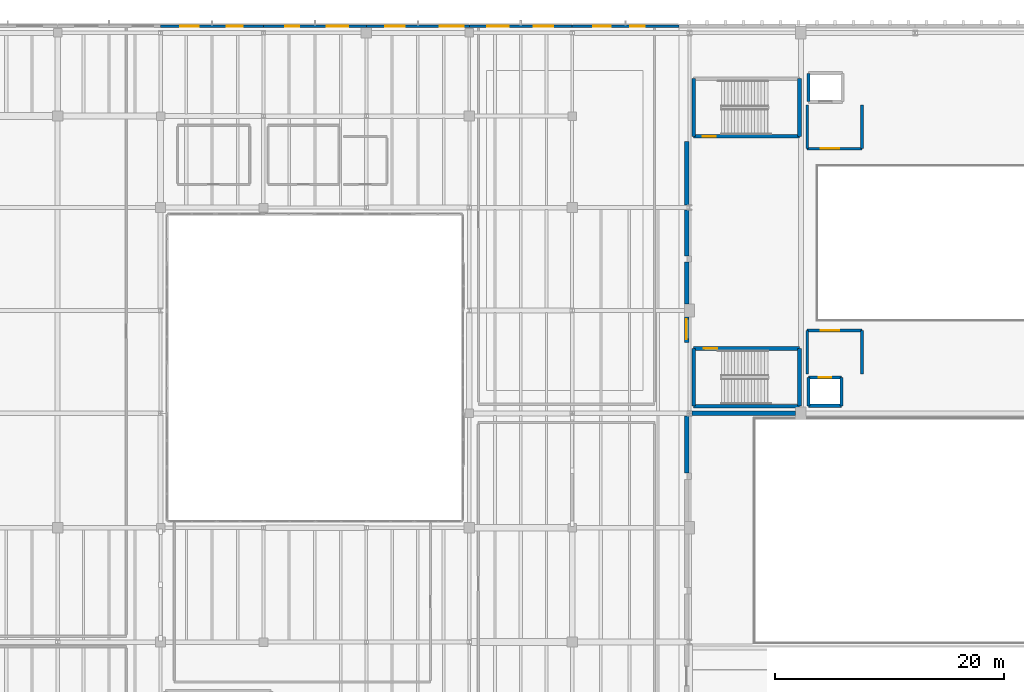
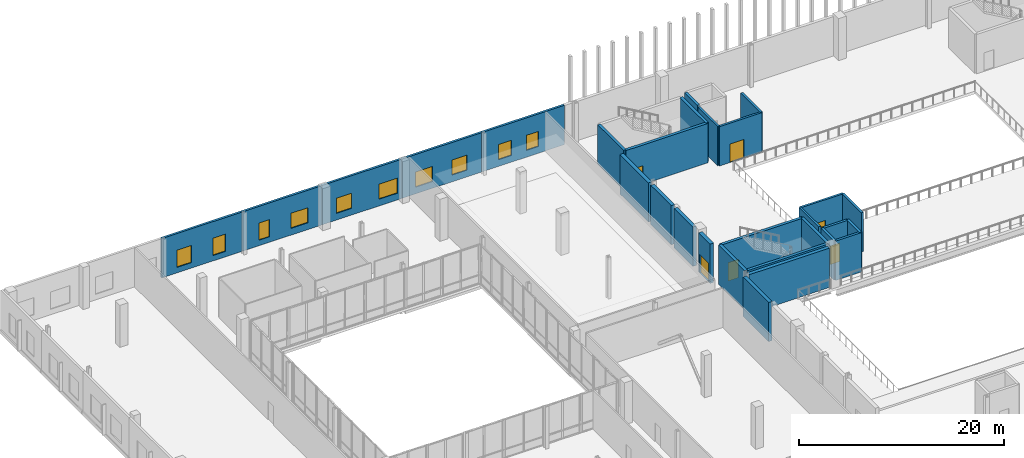
# One storey, part 62 of 81: 29 walls, 10 windows, 6 doors, 16 openings.
"""IFC4 building model written with IfcOpenShell, lengths in metres."""

from ifc_helpers import new_model, si_unit, direction, frame, frame_2d, origin, place, context, subcontext, project, spatial, rectangle, extrude, material, layer, layer_set, type_object, element, fill, save


model = new_model("IFC4")

# Units and contexts
model_context = context("Model", 3, precision=1e-05, world=origin(), true_north=direction((0.0, 1.0)))
body_context = subcontext(model_context, "Body", "Model", "MODEL_VIEW")
ifc_project = project(units=[si_unit("LENGTHUNIT", "METRE"), si_unit("AREAUNIT", "SQUARE_METRE"), si_unit("VOLUMEUNIT", "CUBIC_METRE"), si_unit("PLANEANGLEUNIT", "RADIAN"), si_unit("MASSUNIT", "GRAM", prefix="KILO")], contexts=[model_context])

# Site, building, storey
site_placement = place(None, origin())
site = spatial("IfcSite", under=ifc_project, at=site_placement, CompositionType="ELEMENT")
building_placement = place(site_placement, origin())
building = spatial("IfcBuilding", under=site, at=building_placement, Name="Trimount Lyric Opera House", CompositionType="ELEMENT")
storey_placement = place(building_placement, frame((0.0, 0.0, 5.0)))
storey = spatial("IfcBuildingStorey", under=building, at=storey_placement, Name="L01", CompositionType="ELEMENT", Elevation=5.0)

# Wall
ifc_material_1 = material(Name="Concrete C40/50", Category="concrete")
ifc_layer_1 = layer(ifc_material_1, 0.280029296875)
ifc_layer_set_1 = layer_set([ifc_layer_1], Name="WL-SH280")
wall_type_1 = type_object("IfcWallType", Name="WL-SH280", PredefinedType="SHEAR", material=ifc_layer_set_1)
wall_1_placement = place(storey_placement, frame((74.659912109375, 84.659912109375, 0.0), z_axis=(0.0, 0.0, 1.0), x_axis=(1.0, 0.0, 0.0)))
element("IfcWall", 1, at=wall_1_placement, inside=storey, type_object=wall_type_1, Name="Lift LF-01 L01 south shaft wall", PredefinedType="SHEAR", context=body_context, shape_type="SweptSolid", body=[
    extrude(rectangle(XDim=2.880126953125, YDim=0.280029296875, at=frame_2d((1.43994140625, 0.0))), origin(), (0.0, 0.0, 1.0), 4.675048828125),
])

# Wall, opening, door
wall_2_placement = place(storey_placement, frame((77.5400390625, 87.139892578125, 0.0), z_axis=(0.0, 0.0, 1.0), x_axis=(-1.0, 0.0, 0.0)))
wall_2 = element("IfcWall", 2, at=wall_2_placement, inside=storey, type_object=wall_type_1, Name="Lift LF-01 L01 north shaft wall", PredefinedType="SHEAR", context=body_context, shape_type="SweptSolid", body=[
    extrude(rectangle(XDim=2.880126953125, YDim=0.280029296875, at=frame_2d((1.43994140625, 0.0))), origin(), (0.0, 0.0, 1.0), 4.675048828125),
])
opening_1_placement = place(wall_2_placement, frame((0.889892578125, 0.0, 0.0)))
opening_1 = element("IfcOpeningElement", 3, at=opening_1_placement, cuts=wall_2, Name="Opening DT-LD1", PredefinedType="OPENING", context=body_context, shape_type="SweptSolid", body=[
    extrude(rectangle(XDim=1.10009765625, YDim=2.199951171875, at=frame_2d((0.550048828125, 1.10009765625))), frame((0.0, 0.14990234375, 0.0), z_axis=(0.0, -1.0, 0.0), x_axis=(1.0, 0.0, 0.0)), (0.0, 0.0, 1.0), 0.300048828125),
])
ifc_material_2 = material(Name="Brushed Stainless Steel", Category="steel")
door_type_1 = type_object("IfcDoorType", Name="DT-LD1", OperationType="SLIDING_TO_LEFT", PredefinedType="DOOR", material=ifc_material_2)
door_1_placement = place(opening_1_placement, origin())
door_1 = element("IfcDoor", 4, at=door_1_placement, inside=storey, type_object=door_type_1, Name="D-061", OperationType="SLIDING_TO_LEFT", OverallHeight=2.199951171875, OverallWidth=1.10009765625, PredefinedType="DOOR", context=body_context, shape_type="SweptSolid", body=[
    extrude(rectangle(XDim=1.10009765625, YDim=2.199951171875, at=frame_2d((0.550048828125, 1.10009765625))), frame((0.0, 0.02490234375, 0.0), z_axis=(0.0, -1.0, 0.0), x_axis=(1.0, 0.0, 0.0)), (0.0, 0.0, 1.0), 0.050048828125),
])
fill(opening_1, door_1)

# Walls
for number, where, z_axis, x_axis, name in (
    (5, (74.659912109375, 87.139892578125, 0.0), (0.0, 0.0, 1.0), (0.0, -1.0, 0.0), "Lift LF-01 L01 west shaft wall"),
    (6, (77.5400390625, 84.659912109375, 0.0), (0.0, 0.0, 1.0), (0.0, 1.0, 0.0), "Lift LF-01 L01 east shaft wall"),
    (7, (74.659912109375, 113.739990234375, 0.0), (0.0, 0.0, 1.0), (0.0, -1.0, 0.0), "Lift LF-05 L01 west shaft wall"),
):
    element("IfcWall", number, at=place(storey_placement, frame(where, z_axis=z_axis, x_axis=x_axis)), inside=storey, type_object=wall_type_1, Name=name, PredefinedType="SHEAR", context=body_context, shape_type="SweptSolid", body=[
        extrude(rectangle(XDim=2.47998046875, YDim=0.280029296875, at=frame_2d((1.239990234375, 0.0))), origin(), (0.0, 0.0, 1.0), 4.675048828125),
    ])

# Wall, opening, door
ifc_material_3 = material(Name="Concrete C40/50", Category="concrete")
ifc_layer_2 = layer(ifc_material_3, 0.320068359375)
ifc_layer_set_2 = layer_set([ifc_layer_2], Name="WL-SH320")
wall_type_2 = type_object("IfcWallType", Name="WL-SH320", PredefinedType="SHEAR", material=ifc_layer_set_2)
wall_3_placement = place(storey_placement, frame((64.625, 108.22509765625, 0.0), z_axis=(0.0, 0.0, 1.0), x_axis=(1.0, 0.0, 0.0)))
wall_3 = element("IfcWall", 8, at=wall_3_placement, inside=storey, type_object=wall_type_2, Name="K1 L01 south shaft wall", PredefinedType="SHEAR", context=body_context, shape_type="SweptSolid", body=[
    extrude(rectangle(XDim=9.25, YDim=0.320068359375, at=frame_2d((4.625, 0.0))), origin(), (0.0, 0.0, 1.0), 4.675048828125),
])
opening_2_placement = place(wall_3_placement, frame((0.800048828125, 0.0, 0.0)))
opening_2 = element("IfcOpeningElement", 9, at=opening_2_placement, cuts=wall_3, Name="Opening DT-ST1", PredefinedType="OPENING", context=body_context, shape_type="SweptSolid", body=[
    extrude(rectangle(XDim=1.14990234375, YDim=2.199951171875, at=frame_2d((0.574951171875, 1.10009765625))), frame((0.0, 0.169921875, 0.0), z_axis=(0.0, -1.0, 0.0), x_axis=(1.0, 0.0, 0.0)), (0.0, 0.0, 1.0), 0.340087890625),
])
ifc_material_4 = material(Name="Fire-Rated Hollow Steel", Category="steel")
door_type_2 = type_object("IfcDoorType", Name="DT-ST1", OperationType="NOTDEFINED", PredefinedType="DOOR", material=ifc_material_4)
door_2_placement = place(opening_2_placement, origin())
door_2 = element("IfcDoor", 10, at=door_2_placement, inside=storey, type_object=door_type_2, Name="D-009", OperationType="SINGLE_SWING_LEFT", OverallHeight=2.199951171875, OverallWidth=1.14990234375, PredefinedType="DOOR", context=body_context, shape_type="SweptSolid", body=[
    extrude(rectangle(XDim=1.14990234375, YDim=2.199951171875, at=frame_2d((0.574951171875, 1.10009765625))), frame((0.0, 0.02490234375, 0.0), z_axis=(0.0, -1.0, 0.0), x_axis=(1.0, 0.0, 0.0)), (0.0, 0.0, 1.0), 0.050048828125),
])
fill(opening_2, door_2)

# Walls
for number, where, z_axis, x_axis, name in (
    (11, (64.625, 113.27490234375, 0.0), (0.0, 0.0, 1.0), (0.0, -1.0, 0.0), "K1 L01 west shaft wall"),
    (12, (73.875, 108.22509765625, 0.0), (0.0, 0.0, 1.0), (0.0, 1.0, 0.0), "K1 L01 east shaft wall"),
):
    element("IfcWall", number, at=place(storey_placement, frame(where, z_axis=z_axis, x_axis=x_axis)), inside=storey, type_object=wall_type_2, Name=name, PredefinedType="SHEAR", context=body_context, shape_type="SweptSolid", body=[
        extrude(rectangle(XDim=5.0498046875, YDim=0.320068359375, at=frame_2d((2.52490234375, 0.0))), origin(), (0.0, 0.0, 1.0), 4.675048828125),
    ])
wall_4_placement = place(storey_placement, frame((64.625, 84.625, 0.0), z_axis=(0.0, 0.0, 1.0), x_axis=(1.0, 0.0, 0.0)))
element("IfcWall", 13, at=wall_4_placement, inside=storey, type_object=wall_type_2, Name="K3 L01 south shaft wall", PredefinedType="SHEAR", context=body_context, shape_type="SweptSolid", body=[
    extrude(rectangle(XDim=9.25, YDim=0.320068359375, at=frame_2d((4.625, 0.0))), origin(), (0.0, 0.0, 1.0), 4.675048828125),
])

# Wall, opening, door
wall_5_placement = place(storey_placement, frame((73.875, 89.675048828125, 0.0), z_axis=(0.0, 0.0, 1.0), x_axis=(-1.0, 0.0, 0.0)))
wall_5 = element("IfcWall", 14, at=wall_5_placement, inside=storey, type_object=wall_type_2, Name="K3 L01 north shaft wall", PredefinedType="SHEAR", context=body_context, shape_type="SweptSolid", body=[
    extrude(rectangle(XDim=9.25, YDim=0.320068359375, at=frame_2d((4.625, 0.0))), origin(), (0.0, 0.0, 1.0), 4.675048828125),
])
opening_3_placement = place(wall_5_placement, frame((7.199951171875, 0.0, 0.0)))
opening_3 = element("IfcOpeningElement", 15, at=opening_3_placement, cuts=wall_5, Name="Opening DT-ST1", PredefinedType="OPENING", context=body_context, shape_type="SweptSolid", body=[
    extrude(rectangle(XDim=1.14990234375, YDim=2.199951171875, at=frame_2d((0.574951171875, 1.10009765625))), frame((0.0, 0.169921875, 0.0), z_axis=(0.0, -1.0, 0.0), x_axis=(1.0, 0.0, 0.0)), (0.0, 0.0, 1.0), 0.340087890625),
])
door_3_placement = place(opening_3_placement, origin())
door_3 = element("IfcDoor", 16, at=door_3_placement, inside=storey, type_object=door_type_2, Name="D-025", OperationType="SINGLE_SWING_LEFT", OverallHeight=2.199951171875, OverallWidth=1.14990234375, PredefinedType="DOOR", context=body_context, shape_type="SweptSolid", body=[
    extrude(rectangle(XDim=1.14990234375, YDim=2.199951171875, at=frame_2d((0.574951171875, 1.10009765625))), frame((0.0, 0.02490234375, 0.0), z_axis=(0.0, -1.0, 0.0), x_axis=(1.0, 0.0, 0.0)), (0.0, 0.0, 1.0), 0.050048828125),
])
fill(opening_3, door_3)

# Walls
for number, where, z_axis, x_axis, name in (
    (17, (64.625, 89.675048828125, 0.0), (0.0, 0.0, 1.0), (0.0, -1.0, 0.0), "K3 L01 west shaft wall"),
    (18, (73.875, 84.625, 0.0), (0.0, 0.0, 1.0), (0.0, 1.0, 0.0), "K3 L01 east shaft wall"),
):
    element("IfcWall", number, at=place(storey_placement, frame(where, z_axis=z_axis, x_axis=x_axis)), inside=storey, type_object=wall_type_2, Name=name, PredefinedType="SHEAR", context=body_context, shape_type="SweptSolid", body=[
        extrude(rectangle(XDim=5.050048828125, YDim=0.320068359375, at=frame_2d((2.52490234375, 0.0))), origin(), (0.0, 0.0, 1.0), 4.675048828125),
    ])
ifc_material_5 = material(Name="Concrete C40/50", Category="concrete")
ifc_layer_3 = layer(ifc_material_5, 0.39990234375)
ifc_layer_set_3 = layer_set([ifc_layer_3], Name="WL-SH400")
wall_type_3 = type_object("IfcWallType", Name="WL-SH400", PredefinedType="SHEAR", material=ifc_layer_set_3)
wall_6_placement = place(storey_placement, frame((64.0, 78.77490234375, 0.0), z_axis=(0.0, 0.0, 1.0), x_axis=(0.0, 1.0, 0.0)))
element("IfcWall", 19, at=wall_6_placement, inside=storey, type_object=wall_type_3, Name="L01 auditorium west acoustic shear wall", PredefinedType="SHEAR", context=body_context, shape_type="SweptSolid", body=[
    extrude(rectangle(XDim=4.99267578125, YDim=0.39990234375, at=frame_2d((2.496337890625, 0.0))), origin(), (0.0, 0.0, 1.0), 4.675048828125),
])

# Wall, opening, door
wall_7_placement = place(storey_placement, frame((64.0, 90.199951171875, 0.0), z_axis=(0.0, 0.0, 1.0), x_axis=(0.0, 1.0, 0.0)))
wall_7 = element("IfcWall", 20, at=wall_7_placement, inside=storey, type_object=wall_type_3, Name="L01 fly-tower west shear wall", PredefinedType="SHEAR", context=body_context, shape_type="SweptSolid", body=[
    extrude(rectangle(XDim=2.25, YDim=0.39990234375, at=frame_2d((1.125, 0.0))), origin(), (0.0, 0.0, 1.0), 4.675048828125),
])
opening_4_placement = place(wall_7_placement, frame((0.300048828125, 0.0, 0.0)))
opening_4 = element("IfcOpeningElement", 21, at=opening_4_placement, cuts=wall_7, Name="Opening DT-COR1", PredefinedType="OPENING", context=body_context, shape_type="SweptSolid", body=[
    extrude(rectangle(XDim=1.75, YDim=2.199951171875, at=frame_2d((0.875, 1.10009765625))), frame((0.0, 0.2099609375, 0.0), z_axis=(0.0, -1.0, 0.0), x_axis=(1.0, 0.0, 0.0)), (0.0, 0.0, 1.0), 0.419921875),
])
ifc_material_6 = material(Name="Fire-Rated Timber Veneer", Category="wood")
door_type_3 = type_object("IfcDoorType", Name="DT-COR1", OperationType="DOUBLE_DOOR_SINGLE_SWING", PredefinedType="DOOR", material=ifc_material_6)
door_4_placement = place(opening_4_placement, origin())
door_4 = element("IfcDoor", 22, at=door_4_placement, inside=storey, type_object=door_type_3, Name="D-132", OperationType="DOUBLE_DOOR_SINGLE_SWING", OverallHeight=2.199951171875, OverallWidth=1.75, PredefinedType="DOOR", context=body_context, shape_type="SweptSolid", body=[
    extrude(rectangle(XDim=1.75, YDim=2.199951171875, at=frame_2d((0.875, 1.10009765625))), frame((0.0, 0.02490234375, 0.0), z_axis=(0.0, -1.0, 0.0), x_axis=(1.0, 0.0, 0.0)), (0.0, 0.0, 1.0), 0.050048828125),
])
fill(opening_4, door_4)

# Walls
wall_8_placement = place(storey_placement, frame((64.0, 93.550048828125, 0.0), z_axis=(0.0, 0.0, 1.0), x_axis=(0.0, 1.0, 0.0)))
element("IfcWall", 23, at=wall_8_placement, inside=storey, type_object=wall_type_3, Name="L01 fly-tower west shear wall", PredefinedType="SHEAR", context=body_context, shape_type="SweptSolid", body=[
    extrude(rectangle(XDim=3.675048828125, YDim=0.39990234375, at=frame_2d((1.83740234375, 0.0))), origin(), (0.0, 0.0, 1.0), 4.675048828125),
])
wall_9_placement = place(storey_placement, frame((64.0, 97.77490234375, 0.0), z_axis=(0.0, 0.0, 1.0), x_axis=(0.0, 1.0, 0.0)))
element("IfcWall", 24, at=wall_9_placement, inside=storey, type_object=wall_type_3, Name="L01 fly-tower west shear wall", PredefinedType="SHEAR", context=body_context, shape_type="SweptSolid", body=[
    extrude(rectangle(XDim=3.99267578125, YDim=0.39990234375, at=frame_2d((1.996337890625, 0.0))), origin(), (0.0, 0.0, 1.0), 4.675048828125),
])
wall_10_placement = place(storey_placement, frame((64.0, 102.232421875, 0.0), z_axis=(0.0, 0.0, 1.0), x_axis=(0.0, 1.0, 0.0)))
element("IfcWall", 25, at=wall_10_placement, inside=storey, type_object=wall_type_3, Name="L01 fly-tower west shear wall", PredefinedType="SHEAR", context=body_context, shape_type="SweptSolid", body=[
    extrude(rectangle(XDim=5.567626953125, YDim=0.39990234375, at=frame_2d((2.78369140625, 0.0))), origin(), (0.0, 0.0, 1.0), 4.675048828125),
])
wall_11_placement = place(storey_placement, frame((64.470947265625, 84.0, 0.0), z_axis=(0.0, 0.0, 1.0), x_axis=(1.0, 0.0, 0.0)))
element("IfcWall", 26, at=wall_11_placement, inside=storey, type_object=wall_type_3, Name="L01 proscenium west wing wall", PredefinedType="SHEAR", context=body_context, shape_type="SweptSolid", body=[
    extrude(rectangle(XDim=9.0791015625, YDim=0.39990234375, at=frame_2d((4.53955078125, 0.0))), origin(), (0.0, 0.0, 1.0), 4.675048828125),
])

# Wall, opening, door
ifc_material_7 = material(Name="Concrete C35/45", Category="concrete")
ifc_layer_4 = layer(ifc_material_7, 0.239990234375)
ifc_layer_set_4 = layer_set([ifc_layer_4], Name="WL-SW240")
wall_type_4 = type_object("IfcWallType", Name="WL-SW240", PredefinedType="SOLIDWALL", material=ifc_layer_set_4)
wall_12_placement = place(storey_placement, frame((74.550048828125, 91.25, 0.0), z_axis=(0.0, 0.0, 1.0), x_axis=(1.0, 0.0, 0.0)))
wall_12 = element("IfcWall", 27, at=wall_12_placement, inside=storey, type_object=wall_type_4, Name="L01 firefighting lobby LF-01 entry wall", PredefinedType="SOLIDWALL", context=body_context, shape_type="SweptSolid", body=[
    extrude(rectangle(XDim=4.800048828125, YDim=0.239990234375, at=frame_2d((2.39990234375, 0.0))), origin(), (0.0, 0.0, 1.0), 4.675048828125),
])
opening_5_placement = place(wall_12_placement, frame((1.199951171875, 0.0, 0.0)))
opening_5 = element("IfcOpeningElement", 28, at=opening_5_placement, cuts=wall_12, Name="Opening DT-FF1", PredefinedType="OPENING", context=body_context, shape_type="SweptSolid", body=[
    extrude(rectangle(XDim=1.60009765625, YDim=2.199951171875, at=frame_2d((0.800048828125, 1.10009765625))), frame((0.0, 0.1298828125, 0.0), z_axis=(0.0, -1.0, 0.0), x_axis=(1.0, 0.0, 0.0)), (0.0, 0.0, 1.0), 0.260009765625),
])
ifc_material_8 = material(Name="Fire-Rated Hollow Steel", Category="steel")
door_type_4 = type_object("IfcDoorType", Name="DT-FF1", OperationType="DOUBLE_DOOR_SINGLE_SWING", PredefinedType="DOOR", material=ifc_material_8)
door_5_placement = place(opening_5_placement, origin())
door_5 = element("IfcDoor", 29, at=door_5_placement, inside=storey, type_object=door_type_4, Name="D-062", OperationType="DOUBLE_DOOR_SINGLE_SWING", OverallHeight=2.199951171875, OverallWidth=1.60009765625, PredefinedType="DOOR", context=body_context, shape_type="SweptSolid", body=[
    extrude(rectangle(XDim=1.60009765625, YDim=2.199951171875, at=frame_2d((0.800048828125, 1.10009765625))), frame((0.0, 0.02490234375, 0.0), z_axis=(0.0, -1.0, 0.0), x_axis=(1.0, 0.0, 0.0)), (0.0, 0.0, 1.0), 0.050048828125),
])
fill(opening_5, door_5)

# Walls
for number, where, z_axis, x_axis, name in (
    (30, (74.550048828125, 91.25, 0.0), (0.0, 0.0, 1.0), (0.0, -1.0, 0.0), "L01 firefighting lobby LF-01 west wall"),
    (31, (79.35009765625, 87.449951171875, 0.0), (0.0, 0.0, 1.0), (0.0, 1.0, 0.0), "L01 firefighting lobby LF-01 east wall"),
):
    element("IfcWall", number, at=place(storey_placement, frame(where, z_axis=z_axis, x_axis=x_axis)), inside=storey, type_object=wall_type_4, Name=name, PredefinedType="SOLIDWALL", context=body_context, shape_type="SweptSolid", body=[
        extrude(rectangle(XDim=3.800048828125, YDim=0.239990234375, at=frame_2d((1.89990234375, 0.0))), origin(), (0.0, 0.0, 1.0), 4.675048828125),
    ])

# Wall, opening, door
wall_13_placement = place(storey_placement, frame((74.550048828125, 107.14990234375, 0.0), z_axis=(0.0, 0.0, 1.0), x_axis=(1.0, 0.0, 0.0)))
wall_13 = element("IfcWall", 32, at=wall_13_placement, inside=storey, type_object=wall_type_4, Name="L01 firefighting lobby LF-05 entry wall", PredefinedType="SOLIDWALL", context=body_context, shape_type="SweptSolid", body=[
    extrude(rectangle(XDim=4.800048828125, YDim=0.239990234375, at=frame_2d((2.39990234375, 0.0))), origin(), (0.0, 0.0, 1.0), 4.675048828125),
])
opening_6_placement = place(wall_13_placement, frame((1.199951171875, 0.0, 0.0)))
opening_6 = element("IfcOpeningElement", 33, at=opening_6_placement, cuts=wall_13, Name="Opening DT-FF1", PredefinedType="OPENING", context=body_context, shape_type="SweptSolid", body=[
    extrude(rectangle(XDim=1.60009765625, YDim=2.199951171875, at=frame_2d((0.800048828125, 1.10009765625))), frame((0.0, 0.1298828125, 0.0), z_axis=(0.0, -1.0, 0.0), x_axis=(1.0, 0.0, 0.0)), (0.0, 0.0, 1.0), 0.260009765625),
])
door_6_placement = place(opening_6_placement, origin())
door_6 = element("IfcDoor", 34, at=door_6_placement, inside=storey, type_object=door_type_4, Name="D-096", OperationType="DOUBLE_DOOR_SINGLE_SWING", OverallHeight=2.199951171875, OverallWidth=1.60009765625, PredefinedType="DOOR", context=body_context, shape_type="SweptSolid", body=[
    extrude(rectangle(XDim=1.60009765625, YDim=2.199951171875, at=frame_2d((0.800048828125, 1.10009765625))), frame((0.0, 0.02490234375, 0.0), z_axis=(0.0, -1.0, 0.0), x_axis=(1.0, 0.0, 0.0)), (0.0, 0.0, 1.0), 0.050048828125),
])
fill(opening_6, door_6)

# Walls
for number, where, z_axis, x_axis, name in (
    (35, (74.550048828125, 110.949951171875, 0.0), (0.0, 0.0, 1.0), (0.0, -1.0, 0.0), "L01 firefighting lobby LF-05 west wall"),
    (36, (79.35009765625, 107.14990234375, 0.0), (0.0, 0.0, 1.0), (0.0, 1.0, 0.0), "L01 firefighting lobby LF-05 east wall"),
):
    element("IfcWall", number, at=place(storey_placement, frame(where, z_axis=z_axis, x_axis=x_axis)), inside=storey, type_object=wall_type_4, Name=name, PredefinedType="SOLIDWALL", context=body_context, shape_type="SweptSolid", body=[
        extrude(rectangle(XDim=3.800048828125, YDim=0.239990234375, at=frame_2d((1.89990234375, 0.0))), origin(), (0.0, 0.0, 1.0), 4.675048828125),
    ])

# Wall, openings, windows
ifc_material_9 = material(Name="Concrete C35/45", Category="concrete")
ifc_layer_5 = layer(ifc_material_9, 0.25)
ifc_layer_set_5 = layer_set([ifc_layer_5], Name="WL-SW250")
wall_type_5 = type_object("IfcWallType", Name="WL-SW250", PredefinedType="SOLIDWALL", material=ifc_layer_set_5)
wall_14_placement = place(storey_placement, frame((18.0, 117.860107421875, 0.0), z_axis=(0.0, 0.0, 1.0), x_axis=(1.0, 0.0, 0.0)))
wall_14 = element("IfcWall", 37, at=wall_14_placement, inside=storey, type_object=wall_type_5, Name="L01 exterior facade wall 167", PredefinedType="SOLIDWALL", context=body_context, shape_type="SweptSolid", body=[
    extrude(rectangle(XDim=9.0, YDim=0.25, at=frame_2d((4.5, 0.0))), origin(), (0.0, 0.0, 1.0), 4.679931640625),
])
opening_7_placement = place(wall_14_placement, frame((1.719970703125, 0.0, 0.64990234375)))
opening_7 = element("IfcOpeningElement", 38, at=opening_7_placement, cuts=wall_14, Name="Opening WT-12", PredefinedType="OPENING", context=body_context, shape_type="SweptSolid", body=[
    extrude(rectangle(XDim=1.60009765625, YDim=2.050048828125, at=frame_2d((0.800048828125, 1.02490234375))), frame((0.0, 0.135009765625, 0.0), z_axis=(0.0, -1.0, 0.0), x_axis=(1.0, 0.0, 0.0)), (0.0, 0.0, 1.0), 0.27001953125),
])
opening_8_placement = place(wall_14_placement, frame((5.780029296875, 0.0, 0.64990234375)))
opening_8 = element("IfcOpeningElement", 39, at=opening_8_placement, cuts=wall_14, Name="Opening WT-13", PredefinedType="OPENING", context=body_context, shape_type="SweptSolid", body=[
    extrude(rectangle(XDim=1.39990234375, YDim=2.050048828125, at=frame_2d((0.699951171875, 1.02490234375))), frame((0.0, 0.135009765625, 0.0), z_axis=(0.0, -1.0, 0.0), x_axis=(1.0, 0.0, 0.0)), (0.0, 0.0, 1.0), 0.27001953125),
])
ifc_material_10 = material(Name="Low-E Insulated Glazing in Bronze Frame", Category="glass")
window_type_1 = type_object("IfcWindowType", Name="WT-12", PartitioningType="SINGLE_PANEL", PredefinedType="WINDOW", material=ifc_material_10)
window_1_placement = place(opening_7_placement, origin())
window_1 = element("IfcWindow", 40, at=window_1_placement, inside=storey, type_object=window_type_1, Name="Window WT-12-0090", OverallHeight=2.050048828125, OverallWidth=1.60009765625, PartitioningType="SINGLE_PANEL", PredefinedType="WINDOW", context=body_context, shape_type="SweptSolid", body=[
    extrude(rectangle(XDim=1.60009765625, YDim=2.050048828125, at=frame_2d((0.800048828125, 1.02490234375))), frame((0.0, 0.030029296875, 0.0), z_axis=(0.0, -1.0, 0.0), x_axis=(1.0, 0.0, 0.0)), (0.0, 0.0, 1.0), 0.06005859375),
])
fill(opening_7, window_1)
ifc_material_11 = material(Name="Low-E Insulated Glazing in Bronze Frame", Category="glass")
window_type_2 = type_object("IfcWindowType", Name="WT-13", PartitioningType="SINGLE_PANEL", PredefinedType="WINDOW", material=ifc_material_11)
window_2_placement = place(opening_8_placement, origin())
window_2 = element("IfcWindow", 41, at=window_2_placement, inside=storey, type_object=window_type_2, Name="Window WT-13-0091", OverallHeight=2.050048828125, OverallWidth=1.39990234375, PartitioningType="SINGLE_PANEL", PredefinedType="WINDOW", context=body_context, shape_type="SweptSolid", body=[
    extrude(rectangle(XDim=1.39990234375, YDim=2.050048828125, at=frame_2d((0.699951171875, 1.02490234375))), frame((0.0, 0.030029296875, 0.0), z_axis=(0.0, -1.0, 0.0), x_axis=(1.0, 0.0, 0.0)), (0.0, 0.0, 1.0), 0.06005859375),
])
fill(opening_8, window_2)

wall_15_placement = place(storey_placement, frame((27.0, 117.860107421875, 0.0), z_axis=(0.0, 0.0, 1.0), x_axis=(1.0, 0.0, 0.0)))
wall_15 = element("IfcWall", 42, at=wall_15_placement, inside=storey, type_object=wall_type_5, Name="L01 exterior facade wall 168", PredefinedType="SOLIDWALL", context=body_context, shape_type="SweptSolid", body=[
    extrude(rectangle(XDim=9.0, YDim=0.25, at=frame_2d((4.5, 0.0))), origin(), (0.0, 0.0, 1.0), 4.679931640625),
])
opening_9_placement = place(wall_15_placement, frame((1.919921875, 0.0, 0.64990234375)))
opening_9 = element("IfcOpeningElement", 43, at=opening_9_placement, cuts=wall_15, Name="Opening WT-14", PredefinedType="OPENING", context=body_context, shape_type="SweptSolid", body=[
    extrude(rectangle(XDim=1.199951171875, YDim=2.050048828125, at=frame_2d((0.60009765625, 1.02490234375))), frame((0.0, 0.135009765625, 0.0), z_axis=(0.0, -1.0, 0.0), x_axis=(1.0, 0.0, 0.0)), (0.0, 0.0, 1.0), 0.27001953125),
])
opening_10_placement = place(wall_15_placement, frame((5.530029296875, 0.0, 0.800048828125)))
opening_10 = element("IfcOpeningElement", 44, at=opening_10_placement, cuts=wall_15, Name="Opening WT-18", PredefinedType="OPENING", context=body_context, shape_type="SweptSolid", body=[
    extrude(rectangle(XDim=1.89990234375, YDim=1.800048828125, at=frame_2d((0.949951171875, 0.89990234375))), frame((0.0, 0.135009765625, 0.0), z_axis=(0.0, -1.0, 0.0), x_axis=(1.0, 0.0, 0.0)), (0.0, 0.0, 1.0), 0.27001953125),
])
ifc_material_12 = material(Name="Low-E Insulated Glazing in Bronze Frame", Category="glass")
window_type_3 = type_object("IfcWindowType", Name="WT-14", PartitioningType="SINGLE_PANEL", PredefinedType="WINDOW", material=ifc_material_12)
window_3_placement = place(opening_9_placement, origin())
window_3 = element("IfcWindow", 45, at=window_3_placement, inside=storey, type_object=window_type_3, Name="Window WT-14-0092", OverallHeight=2.050048828125, OverallWidth=1.199951171875, PartitioningType="SINGLE_PANEL", PredefinedType="WINDOW", context=body_context, shape_type="SweptSolid", body=[
    extrude(rectangle(XDim=1.199951171875, YDim=2.050048828125, at=frame_2d((0.60009765625, 1.02490234375))), frame((0.0, 0.030029296875, 0.0), z_axis=(0.0, -1.0, 0.0), x_axis=(1.0, 0.0, 0.0)), (0.0, 0.0, 1.0), 0.06005859375),
])
fill(opening_9, window_3)
ifc_material_13 = material(Name="Dressing Suite Acoustic Window")
window_type_4 = type_object("IfcWindowType", Name="WT-18", PartitioningType="DOUBLE_PANEL_VERTICAL", PredefinedType="WINDOW", material=ifc_material_13)
window_4_placement = place(opening_10_placement, origin())
window_4 = element("IfcWindow", 46, at=window_4_placement, inside=storey, type_object=window_type_4, Name="Window WT-18-0093", OverallHeight=1.800048828125, OverallWidth=1.89990234375, PartitioningType="SINGLE_PANEL", PredefinedType="WINDOW", context=body_context, shape_type="SweptSolid", body=[
    extrude(rectangle(XDim=1.89990234375, YDim=1.800048828125, at=frame_2d((0.949951171875, 0.89990234375))), frame((0.0, 0.030029296875, 0.0), z_axis=(0.0, -1.0, 0.0), x_axis=(1.0, 0.0, 0.0)), (0.0, 0.0, 1.0), 0.06005859375),
])
fill(opening_10, window_4)

wall_16_placement = place(storey_placement, frame((36.0, 117.860107421875, 0.0), z_axis=(0.0, 0.0, 1.0), x_axis=(1.0, 0.0, 0.0)))
wall_16 = element("IfcWall", 47, at=wall_16_placement, inside=storey, type_object=wall_type_5, Name="L01 exterior facade wall 169", PredefinedType="SOLIDWALL", context=body_context, shape_type="SweptSolid", body=[
    extrude(rectangle(XDim=9.0, YDim=0.25, at=frame_2d((4.5, 0.0))), origin(), (0.0, 0.0, 1.0), 4.679931640625),
])
opening_11_placement = place(wall_16_placement, frame((1.669921875, 0.0, 0.800048828125)))
opening_11 = element("IfcOpeningElement", 48, at=opening_11_placement, cuts=wall_16, Name="Opening WT-19", PredefinedType="OPENING", context=body_context, shape_type="SweptSolid", body=[
    extrude(rectangle(XDim=1.699951171875, YDim=1.800048828125, at=frame_2d((0.85009765625, 0.89990234375))), frame((0.0, 0.135009765625, 0.0), z_axis=(0.0, -1.0, 0.0), x_axis=(1.0, 0.0, 0.0)), (0.0, 0.0, 1.0), 0.27001953125),
])
opening_12_placement = place(wall_16_placement, frame((6.429931640625, 0.0, 0.800048828125)))
opening_12 = element("IfcOpeningElement", 49, at=opening_12_placement, cuts=wall_16, Name="Opening WT-17", PredefinedType="OPENING", context=body_context, shape_type="SweptSolid", body=[
    extrude(rectangle(XDim=2.10009765625, YDim=1.800048828125, at=frame_2d((1.050048828125, 0.89990234375))), frame((0.0, 0.135009765625, 0.0), z_axis=(0.0, -1.0, 0.0), x_axis=(1.0, 0.0, 0.0)), (0.0, 0.0, 1.0), 0.27001953125),
])
ifc_material_14 = material(Name="Dressing Suite Acoustic Window")
window_type_5 = type_object("IfcWindowType", Name="WT-17", PartitioningType="DOUBLE_PANEL_VERTICAL", PredefinedType="WINDOW", material=ifc_material_14)
window_5_placement = place(opening_12_placement, origin())
window_5 = element("IfcWindow", 50, at=window_5_placement, inside=storey, type_object=window_type_5, Name="Window WT-17-0095", OverallHeight=1.800048828125, OverallWidth=2.10009765625, PartitioningType="SINGLE_PANEL", PredefinedType="WINDOW", context=body_context, shape_type="SweptSolid", body=[
    extrude(rectangle(XDim=2.10009765625, YDim=1.800048828125, at=frame_2d((1.050048828125, 0.89990234375))), frame((0.0, 0.030029296875, 0.0), z_axis=(0.0, -1.0, 0.0), x_axis=(1.0, 0.0, 0.0)), (0.0, 0.0, 1.0), 0.06005859375),
])
fill(opening_12, window_5)
ifc_material_15 = material(Name="Dressing Suite Acoustic Window")
window_type_6 = type_object("IfcWindowType", Name="WT-19", PartitioningType="SINGLE_PANEL", PredefinedType="WINDOW", material=ifc_material_15)
window_6_placement = place(opening_11_placement, origin())
window_6 = element("IfcWindow", 51, at=window_6_placement, inside=storey, type_object=window_type_6, Name="Window WT-19-0094", OverallHeight=1.800048828125, OverallWidth=1.699951171875, PartitioningType="SINGLE_PANEL", PredefinedType="WINDOW", context=body_context, shape_type="SweptSolid", body=[
    extrude(rectangle(XDim=1.699951171875, YDim=1.800048828125, at=frame_2d((0.85009765625, 0.89990234375))), frame((0.0, 0.030029296875, 0.0), z_axis=(0.0, -1.0, 0.0), x_axis=(1.0, 0.0, 0.0)), (0.0, 0.0, 1.0), 0.06005859375),
])
fill(opening_11, window_6)

wall_17_placement = place(storey_placement, frame((45.0, 117.860107421875, 0.0), z_axis=(0.0, 0.0, 1.0), x_axis=(1.0, 0.0, 0.0)))
wall_17 = element("IfcWall", 52, at=wall_17_placement, inside=storey, type_object=wall_type_5, Name="L01 exterior facade wall 170", PredefinedType="SOLIDWALL", context=body_context, shape_type="SweptSolid", body=[
    extrude(rectangle(XDim=9.0, YDim=0.25, at=frame_2d((4.5, 0.0))), origin(), (0.0, 0.0, 1.0), 4.679931640625),
])
opening_13_placement = place(wall_17_placement, frame((1.570068359375, 0.0, 0.800048828125)))
opening_13 = element("IfcOpeningElement", 53, at=opening_13_placement, cuts=wall_17, Name="Opening WT-18", PredefinedType="OPENING", context=body_context, shape_type="SweptSolid", body=[
    extrude(rectangle(XDim=1.89990234375, YDim=1.800048828125, at=frame_2d((0.949951171875, 0.89990234375))), frame((0.0, 0.135009765625, 0.0), z_axis=(0.0, -1.0, 0.0), x_axis=(1.0, 0.0, 0.0)), (0.0, 0.0, 1.0), 0.27001953125),
])
opening_14_placement = place(wall_17_placement, frame((5.6298828125, 0.0, 0.800048828125)))
opening_14 = element("IfcOpeningElement", 54, at=opening_14_placement, cuts=wall_17, Name="Opening WT-19", PredefinedType="OPENING", context=body_context, shape_type="SweptSolid", body=[
    extrude(rectangle(XDim=1.699951171875, YDim=1.800048828125, at=frame_2d((0.85009765625, 0.89990234375))), frame((0.0, 0.135009765625, 0.0), z_axis=(0.0, -1.0, 0.0), x_axis=(1.0, 0.0, 0.0)), (0.0, 0.0, 1.0), 0.27001953125),
])
window_7_placement = place(opening_13_placement, origin())
window_7 = element("IfcWindow", 55, at=window_7_placement, inside=storey, type_object=window_type_4, Name="Window WT-18-0096", OverallHeight=1.800048828125, OverallWidth=1.89990234375, PartitioningType="SINGLE_PANEL", PredefinedType="WINDOW", context=body_context, shape_type="SweptSolid", body=[
    extrude(rectangle(XDim=1.89990234375, YDim=1.800048828125, at=frame_2d((0.949951171875, 0.89990234375))), frame((0.0, 0.030029296875, 0.0), z_axis=(0.0, -1.0, 0.0), x_axis=(1.0, 0.0, 0.0)), (0.0, 0.0, 1.0), 0.06005859375),
])
fill(opening_13, window_7)
window_8_placement = place(opening_14_placement, origin())
window_8 = element("IfcWindow", 56, at=window_8_placement, inside=storey, type_object=window_type_6, Name="Window WT-19-0097", OverallHeight=1.800048828125, OverallWidth=1.699951171875, PartitioningType="SINGLE_PANEL", PredefinedType="WINDOW", context=body_context, shape_type="SweptSolid", body=[
    extrude(rectangle(XDim=1.699951171875, YDim=1.800048828125, at=frame_2d((0.85009765625, 0.89990234375))), frame((0.0, 0.030029296875, 0.0), z_axis=(0.0, -1.0, 0.0), x_axis=(1.0, 0.0, 0.0)), (0.0, 0.0, 1.0), 0.06005859375),
])
fill(opening_14, window_8)

wall_18_placement = place(storey_placement, frame((54.0, 117.860107421875, 0.0), z_axis=(0.0, 0.0, 1.0), x_axis=(1.0, 0.0, 0.0)))
wall_18 = element("IfcWall", 57, at=wall_18_placement, inside=storey, type_object=wall_type_5, Name="L01 exterior facade wall 171", PredefinedType="SOLIDWALL", context=body_context, shape_type="SweptSolid", body=[
    extrude(rectangle(XDim=9.320068359375, YDim=0.25, at=frame_2d((4.66015625, 0.0))), origin(), (0.0, 0.0, 1.0), 4.675048828125),
])
opening_15_placement = place(wall_18_placement, frame((1.859619140625, 0.0, 0.800048828125)))
opening_15 = element("IfcOpeningElement", 58, at=opening_15_placement, cuts=wall_18, Name="Opening WT-20", PredefinedType="OPENING", context=body_context, shape_type="SweptSolid", body=[
    extrude(rectangle(XDim=1.5, YDim=1.800048828125, at=frame_2d((0.75, 0.89990234375))), frame((0.0, 0.135009765625, 0.0), z_axis=(0.0, -1.0, 0.0), x_axis=(1.0, 0.0, 0.0)), (0.0, 0.0, 1.0), 0.27001953125),
])
opening_16_placement = place(wall_18_placement, frame((5.060302734375, 0.0, 0.800048828125)))
opening_16 = element("IfcOpeningElement", 59, at=opening_16_placement, cuts=wall_18, Name="Opening WT-21", PredefinedType="OPENING", context=body_context, shape_type="SweptSolid", body=[
    extrude(rectangle(XDim=1.300048828125, YDim=1.800048828125, at=frame_2d((0.64990234375, 0.89990234375))), frame((0.0, 0.135009765625, 0.0), z_axis=(0.0, -1.0, 0.0), x_axis=(1.0, 0.0, 0.0)), (0.0, 0.0, 1.0), 0.27001953125),
])
ifc_material_16 = material(Name="Dressing Suite Acoustic Window")
window_type_7 = type_object("IfcWindowType", Name="WT-20", PartitioningType="SINGLE_PANEL", PredefinedType="WINDOW", material=ifc_material_16)
window_9_placement = place(opening_15_placement, origin())
window_9 = element("IfcWindow", 60, at=window_9_placement, inside=storey, type_object=window_type_7, Name="Window WT-20-0098", OverallHeight=1.800048828125, OverallWidth=1.5, PartitioningType="SINGLE_PANEL", PredefinedType="WINDOW", context=body_context, shape_type="SweptSolid", body=[
    extrude(rectangle(XDim=1.5, YDim=1.800048828125, at=frame_2d((0.75, 0.89990234375))), frame((0.0, 0.030029296875, 0.0), z_axis=(0.0, -1.0, 0.0), x_axis=(1.0, 0.0, 0.0)), (0.0, 0.0, 1.0), 0.06005859375),
])
fill(opening_15, window_9)
ifc_material_17 = material(Name="Dressing Suite Acoustic Window")
window_type_8 = type_object("IfcWindowType", Name="WT-21", PartitioningType="SINGLE_PANEL", PredefinedType="WINDOW", material=ifc_material_17)
window_10_placement = place(opening_16_placement, origin())
window_10 = element("IfcWindow", 61, at=window_10_placement, inside=storey, type_object=window_type_8, Name="Window WT-21-0099", OverallHeight=1.800048828125, OverallWidth=1.300048828125, PartitioningType="SINGLE_PANEL", PredefinedType="WINDOW", context=body_context, shape_type="SweptSolid", body=[
    extrude(rectangle(XDim=1.300048828125, YDim=1.800048828125, at=frame_2d((0.64990234375, 0.89990234375))), frame((0.0, 0.030029296875, 0.0), z_axis=(0.0, -1.0, 0.0), x_axis=(1.0, 0.0, 0.0)), (0.0, 0.0, 1.0), 0.06005859375),
])
fill(opening_16, window_10)

save(model, "model.ifc")
